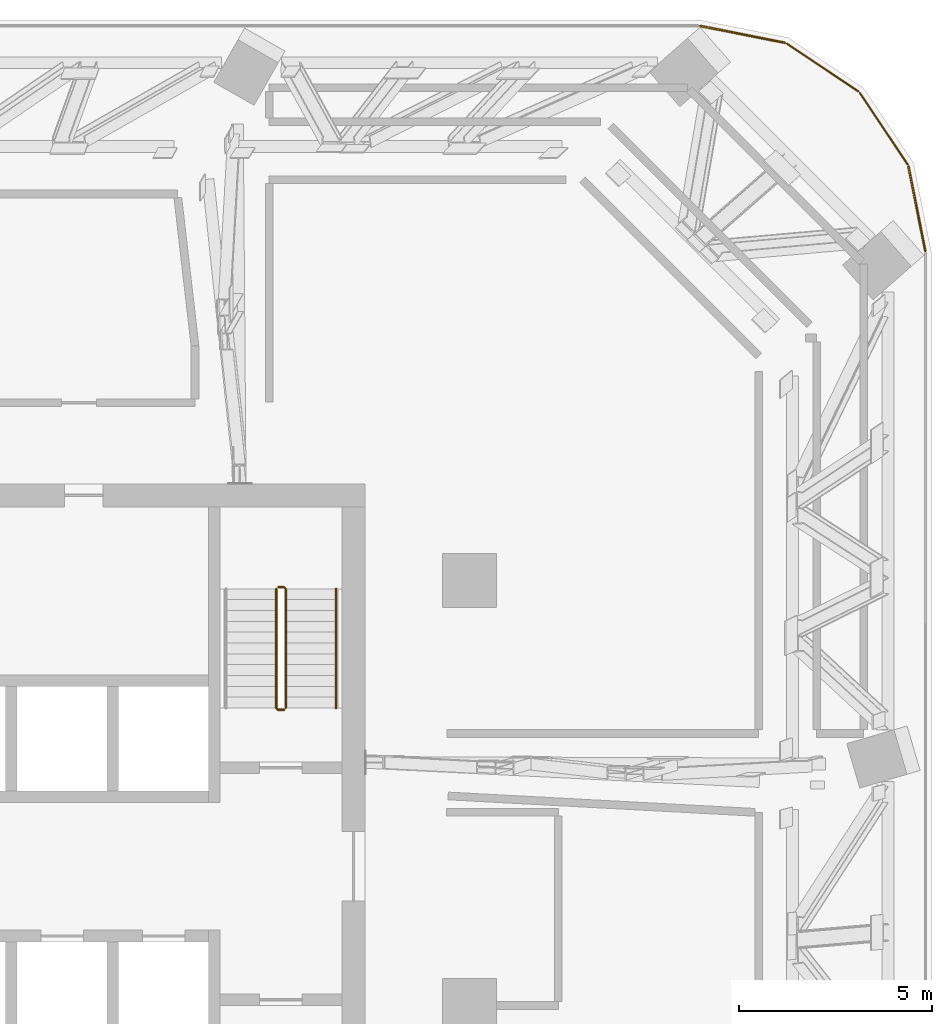
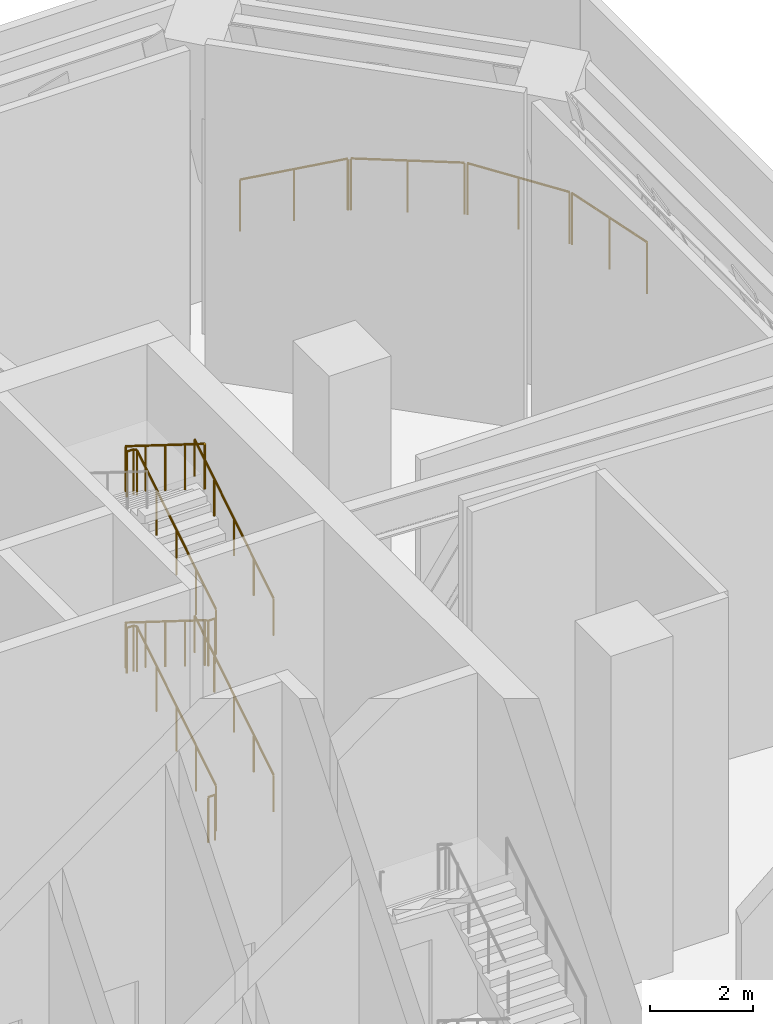
# One storey, part 24 of 24: 11 railings.
"""IFC4 building model written with IfcOpenShell, lengths in metres."""

from ifc_helpers import new_model, si_unit, direction, frame, origin, origin_2d, place, context, subcontext, project, spatial, circle, extrude, material, type_object, element, save


model = new_model("IFC4")

# Units and contexts
model_context = context("Model", 3, precision=1e-05, world=origin(), true_north=direction((0.0, 1.0)))
body_context = subcontext(model_context, "Body", "Model", "MODEL_VIEW")
ifc_project = project(units=[si_unit("LENGTHUNIT", "METRE"), si_unit("AREAUNIT", "SQUARE_METRE"), si_unit("VOLUMEUNIT", "CUBIC_METRE"), si_unit("PLANEANGLEUNIT", "RADIAN"), si_unit("MASSUNIT", "GRAM", prefix="KILO")], contexts=[model_context])

# Site, building, storey
site_placement = place(None, origin())
site = spatial("IfcSite", under=ifc_project, at=site_placement, CompositionType="ELEMENT")
building_placement = place(site_placement, origin())
building = spatial("IfcBuilding", under=site, at=building_placement, Name="Mopane Tessera Tower", CompositionType="ELEMENT")
storey_placement = place(building_placement, frame((0.0, 0.0, 148.60009765625)))
storey = spatial("IfcBuildingStorey", under=building, at=storey_placement, Name="L30", CompositionType="ELEMENT", Elevation=148.60009765625)

# Railings
ifc_material_1 = material(Name="Powder-coated steel balustrade", Category="steel")
railing_type_1 = type_object("IfcRailingType", Name="Escape stair guard 1100 mm", PredefinedType="GUARDRAIL", material=ifc_material_1)
railing_1_placement = place(storey_placement, frame((12.35009765625, 7.699951171875, 0.1748046875)))
element("IfcRailing", 1, at=railing_1_placement, inside=storey, type_object=railing_type_1, Name="L30 ST4 stair guard 1", PredefinedType="GUARDRAIL", context=body_context, shape_type="SweptSolid", body=[
    extrude(circle(Radius=0.02392578125, at=origin_2d()), frame((0.0, 0.0, 1.076171875), z_axis=(0.0, 0.847998304005, 0.529998940003), x_axis=(-1.0, 0.0, 0.0)), (0.0, 0.0, 1.0), 3.632080078125),
    extrude(circle(Radius=0.02392578125, at=origin_2d()), frame((0.0, 3.080078125, 3.0009765625), z_axis=(-0.707106781187, 0.707106781187, 0.0), x_axis=(-0.707106781187, -0.707106781187, 0.0)), (0.0, 0.0, 1.0), 0.07080078125),
    extrude(circle(Radius=0.02392578125, at=origin_2d()), frame((-0.050048828125, 3.130126953125, 3.0009765625), z_axis=(-1.0, 0.0, 0.0), x_axis=(0.0, -1.0, 0.0)), (0.0, 0.0, 1.0), 0.150146484375),
    extrude(circle(Radius=0.02099609375, at=origin_2d()), origin(), (0.0, 0.0, 1.0), 1.052001953125),
    extrude(circle(Radius=0.02099609375, at=origin_2d()), frame((0.0, 0.77001953125, 0.481201171875)), (0.0, 0.0, 1.0), 1.052001953125),
    extrude(circle(Radius=0.02099609375, at=origin_2d()), frame((0.0, 1.5400390625, 0.96240234375)), (0.0, 0.0, 1.0), 1.052001953125),
    extrude(circle(Radius=0.02099609375, at=origin_2d()), frame((0.0, 2.31005859375, 1.44384765625)), (0.0, 0.0, 1.0), 1.052001953125),
    extrude(circle(Radius=0.02099609375, at=origin_2d()), frame((0.0, 3.080078125, 1.925048828125)), (0.0, 0.0, 1.0), 1.052001953125),
    extrude(circle(Radius=0.02099609375, at=origin_2d()), frame((-0.050048828125, 3.130126953125, 1.925048828125)), (0.0, 0.0, 1.0), 1.052001953125),
    extrude(circle(Radius=0.02099609375, at=origin_2d()), frame((-0.2001953125, 3.130126953125, 1.925048828125)), (0.0, 0.0, 1.0), 1.052001953125),
])
railing_2_placement = place(storey_placement, frame((12.10009765625, 10.780029296875, 2.27490234375)))
element("IfcRailing", 2, at=railing_2_placement, inside=storey, type_object=railing_type_1, Name="L30 ST4 stair guard 2", PredefinedType="GUARDRAIL", context=body_context, shape_type="SweptSolid", body=[
    extrude(circle(Radius=0.02392578125, at=origin_2d()), frame((0.0, 0.0, 1.076171875), z_axis=(0.0, -0.847998304005, 0.529998940003), x_axis=(1.0, 0.0, 0.0)), (0.0, 0.0, 1.0), 3.632080078125),
    extrude(circle(Radius=0.02392578125, at=origin_2d()), frame((0.0, -3.080078125, 3.0009765625), z_axis=(0.705375805398, -0.708833529934, 0.0), x_axis=(0.708833529934, 0.705375805398, 0.0)), (0.0, 0.0, 1.0), 0.070556640625),
    extrude(circle(Radius=0.02392578125, at=origin_2d()), frame((0.0498046875, -3.130126953125, 3.0009765625), z_axis=(1.0, 0.0, 0.0), x_axis=(0.0, 1.0, 0.0)), (0.0, 0.0, 1.0), 0.150146484375),
    extrude(circle(Radius=0.02099609375, at=origin_2d()), origin(), (0.0, 0.0, 1.0), 1.052001953125),
    extrude(circle(Radius=0.02099609375, at=origin_2d()), frame((0.0, -0.77001953125, 0.481201171875)), (0.0, 0.0, 1.0), 1.052001953125),
    extrude(circle(Radius=0.02099609375, at=origin_2d()), frame((0.0, -1.5400390625, 0.96240234375)), (0.0, 0.0, 1.0), 1.052001953125),
    extrude(circle(Radius=0.02099609375, at=origin_2d()), frame((0.0, -2.31005859375, 1.44384765625)), (0.0, 0.0, 1.0), 1.052001953125),
    extrude(circle(Radius=0.02099609375, at=origin_2d()), frame((0.0, -3.080078125, 1.925048828125)), (0.0, 0.0, 1.0), 1.052001953125),
    extrude(circle(Radius=0.02099609375, at=origin_2d()), frame((0.0498046875, -3.130126953125, 1.925048828125)), (0.0, 0.0, 1.0), 1.052001953125),
    extrude(circle(Radius=0.02099609375, at=origin_2d()), frame((0.199951171875, -3.130126953125, 1.925048828125)), (0.0, 0.0, 1.0), 1.052001953125),
])
railing_3_placement = place(storey_placement, frame((12.35009765625, 7.699951171875, 4.375)))
element("IfcRailing", 3, at=railing_3_placement, inside=storey, type_object=railing_type_1, Name="L30 ST4 stair guard 3", PredefinedType="GUARDRAIL", context=body_context, shape_type="SweptSolid", body=[
    extrude(circle(Radius=0.02392578125, at=origin_2d()), frame((0.0, 0.0, 1.076171875), z_axis=(0.0, 0.848028513186, 0.529950602248), x_axis=(-1.0, 0.0, 0.0)), (0.0, 0.0, 1.0), 3.632080078125),
    extrude(circle(Radius=0.02392578125, at=origin_2d()), frame((0.0, 3.080078125, 3.0009765625), z_axis=(-0.707106781187, 0.707106781187, 0.0), x_axis=(-0.707106781187, -0.707106781187, 0.0)), (0.0, 0.0, 1.0), 0.07080078125),
    extrude(circle(Radius=0.02392578125, at=origin_2d()), frame((-0.050048828125, 3.130126953125, 3.0009765625), z_axis=(-1.0, 0.0, 0.0), x_axis=(0.0, -1.0, 0.0)), (0.0, 0.0, 1.0), 0.150146484375),
    extrude(circle(Radius=0.02099609375, at=origin_2d()), origin(), (0.0, 0.0, 1.0), 1.052001953125),
    extrude(circle(Radius=0.02099609375, at=origin_2d()), frame((0.0, 0.77001953125, 0.481201171875)), (0.0, 0.0, 1.0), 1.052001953125),
    extrude(circle(Radius=0.02099609375, at=origin_2d()), frame((0.0, 1.5400390625, 0.96240234375)), (0.0, 0.0, 1.0), 1.052001953125),
    extrude(circle(Radius=0.02099609375, at=origin_2d()), frame((0.0, 2.31005859375, 1.443603515625)), (0.0, 0.0, 1.0), 1.052001953125),
    extrude(circle(Radius=0.02099609375, at=origin_2d()), frame((0.0, 3.080078125, 1.9248046875)), (0.0, 0.0, 1.0), 1.052001953125),
    extrude(circle(Radius=0.02099609375, at=origin_2d()), frame((-0.050048828125, 3.130126953125, 1.9248046875)), (0.0, 0.0, 1.0), 1.052001953125),
    extrude(circle(Radius=0.02099609375, at=origin_2d()), frame((-0.2001953125, 3.130126953125, 1.9248046875)), (0.0, 0.0, 1.0), 1.052001953125),
])
railing_4_placement = place(storey_placement, frame((12.10009765625, 10.780029296875, 6.474853515625)))
element("IfcRailing", 4, at=railing_4_placement, inside=storey, type_object=railing_type_1, Name="L30 ST4 stair guard 4", PredefinedType="GUARDRAIL", context=body_context, shape_type="SweptSolid", body=[
    extrude(circle(Radius=0.02392578125, at=origin_2d()), frame((0.0, 0.0, 1.076171875), z_axis=(0.0, -0.847998304005, 0.529998940003), x_axis=(1.0, 0.0, 0.0)), (0.0, 0.0, 1.0), 3.632080078125),
    extrude(circle(Radius=0.02099609375, at=origin_2d()), origin(), (0.0, 0.0, 1.0), 1.052001953125),
    extrude(circle(Radius=0.02099609375, at=origin_2d()), frame((0.0, -0.77001953125, 0.481201171875)), (0.0, 0.0, 1.0), 1.052001953125),
    extrude(circle(Radius=0.02099609375, at=origin_2d()), frame((0.0, -1.5400390625, 0.96240234375)), (0.0, 0.0, 1.0), 1.052001953125),
    extrude(circle(Radius=0.02099609375, at=origin_2d()), frame((0.0, -2.31005859375, 1.44384765625)), (0.0, 0.0, 1.0), 1.052001953125),
    extrude(circle(Radius=0.02099609375, at=origin_2d()), frame((0.0, -3.080078125, 1.925048828125)), (0.0, 0.0, 1.0), 1.052001953125),
])
railing_5_placement = place(storey_placement, frame((12.300048828125, 7.64990234375, 0.0)))
element("IfcRailing", 5, at=railing_5_placement, inside=storey, type_object=railing_type_1, Name="L30 ST4 stair guard 5", PredefinedType="GUARDRAIL", context=body_context, shape_type="SweptSolid", body=[
    extrude(circle(Radius=0.02392578125, at=origin_2d()), frame((0.0, 0.0, 1.076171875), z_axis=(-1.0, 0.0, 0.0), x_axis=(0.0, -1.0, 0.0)), (0.0, 0.0, 1.0), 0.150146484375),
    extrude(circle(Radius=0.02099609375, at=origin_2d()), origin(), (0.0, 0.0, 1.0), 1.052001953125),
    extrude(circle(Radius=0.02099609375, at=origin_2d()), frame((-0.150146484375, 0.0, 0.0)), (0.0, 0.0, 1.0), 1.052001953125),
])
ifc_material_2 = material(Name="Powder-coated steel balustrade", Category="steel")
railing_type_2 = type_object("IfcRailingType", Name="Escape stair handrail 900 mm", PredefinedType="HANDRAIL", material=ifc_material_2)
railing_6_placement = place(storey_placement, frame((13.64990234375, 7.699951171875, 0.1748046875)))
element("IfcRailing", 6, at=railing_6_placement, inside=storey, type_object=railing_type_2, Name="L30 ST4 stair handrail 1", PredefinedType="HANDRAIL", context=body_context, shape_type="SweptSolid", body=[
    extrude(circle(Radius=0.02392578125, at=origin_2d()), frame((0.0, 0.0, 0.8759765625), z_axis=(0.0, 0.847998304005, 0.529998940003), x_axis=(-1.0, 0.0, 0.0)), (0.0, 0.0, 1.0), 3.632080078125),
    extrude(circle(Radius=0.02099609375, at=origin_2d()), origin(), (0.0, 0.0, 1.0), 0.851806640625),
    extrude(circle(Radius=0.02099609375, at=origin_2d()), frame((0.0, 0.77001953125, 0.481201171875)), (0.0, 0.0, 1.0), 0.851806640625),
    extrude(circle(Radius=0.02099609375, at=origin_2d()), frame((0.0, 1.5400390625, 0.96240234375)), (0.0, 0.0, 1.0), 0.851806640625),
    extrude(circle(Radius=0.02099609375, at=origin_2d()), frame((0.0, 2.31005859375, 1.44384765625)), (0.0, 0.0, 1.0), 0.851806640625),
    extrude(circle(Radius=0.02099609375, at=origin_2d()), frame((0.0, 3.080078125, 1.925048828125)), (0.0, 0.0, 1.0), 0.851806640625),
])
railing_7_placement = place(storey_placement, frame((13.64990234375, 7.699951171875, 4.375)))
element("IfcRailing", 7, at=railing_7_placement, inside=storey, type_object=railing_type_2, Name="L30 ST4 stair handrail 3", PredefinedType="HANDRAIL", context=body_context, shape_type="SweptSolid", body=[
    extrude(circle(Radius=0.02392578125, at=origin_2d()), frame((0.0, 0.0, 0.8759765625), z_axis=(0.0, 0.848028513186, 0.529950602248), x_axis=(-1.0, 0.0, 0.0)), (0.0, 0.0, 1.0), 3.632080078125),
    extrude(circle(Radius=0.02099609375, at=origin_2d()), origin(), (0.0, 0.0, 1.0), 0.851806640625),
    extrude(circle(Radius=0.02099609375, at=origin_2d()), frame((0.0, 0.77001953125, 0.481201171875)), (0.0, 0.0, 1.0), 0.851806640625),
    extrude(circle(Radius=0.02099609375, at=origin_2d()), frame((0.0, 1.5400390625, 0.96240234375)), (0.0, 0.0, 1.0), 0.851806640625),
    extrude(circle(Radius=0.02099609375, at=origin_2d()), frame((0.0, 2.31005859375, 1.443603515625)), (0.0, 0.0, 1.0), 0.851806640625),
    extrude(circle(Radius=0.02099609375, at=origin_2d()), frame((0.0, 3.080078125, 1.9248046875)), (0.0, 0.0, 1.0), 0.851806640625),
])
ifc_material_3 = material(Name="Stainless steel S316", Category="steel")
railing_type_3 = type_object("IfcRailingType", Name="Wind floor guard 1250", PredefinedType="GUARDRAIL", material=ifc_material_3)
railing_8_placement = place(storey_placement, frame((28.89404296875, 19.529541015625, 0.0)))
element("IfcRailing", 8, at=railing_8_placement, inside=storey, type_object=railing_type_3, Name="e:og:L30:6", PredefinedType="GUARDRAIL", context=body_context, shape_type="SweptSolid", body=[
    extrude(circle(Radius=0.02392578125, at=origin_2d()), frame((0.0, 0.0, 1.22607421875), z_axis=(-0.195101986683, 0.980782960085, 0.0), x_axis=(-0.980782960085, -0.195101986683, 0.0)), (0.0, 0.0, 1.0), 2.222412109375),
    extrude(circle(Radius=0.02099609375, at=origin_2d()), origin(), (0.0, 0.0, 1.0), 1.201904296875),
    extrude(circle(Radius=0.02099609375, at=origin_2d()), frame((-0.216796875, 1.08984375, 0.0)), (0.0, 0.0, 1.0), 1.201904296875),
    extrude(circle(Radius=0.02099609375, at=origin_2d()), frame((-0.43359375, 2.1796875, 0.0)), (0.0, 0.0, 1.0), 1.201904296875),
])
railing_9_placement = place(storey_placement, frame((28.43798828125, 21.763671875, 0.0)))
element("IfcRailing", 9, at=railing_9_placement, inside=storey, type_object=railing_type_3, Name="e:og:L30:7", PredefinedType="GUARDRAIL", context=body_context, shape_type="SweptSolid", body=[
    extrude(circle(Radius=0.02392578125, at=origin_2d()), frame((0.0, 0.0, 1.22607421875), z_axis=(-0.555612448047, 0.831441403573, 0.0), x_axis=(-0.831441403573, -0.555612448047, 0.0)), (0.0, 0.0, 1.0), 2.222412109375),
    extrude(circle(Radius=0.02099609375, at=origin_2d()), origin(), (0.0, 0.0, 1.0), 1.201904296875),
    extrude(circle(Radius=0.02099609375, at=origin_2d()), frame((-0.617431640625, 0.923828125, 0.0)), (0.0, 0.0, 1.0), 1.201904296875),
    extrude(circle(Radius=0.02099609375, at=origin_2d()), frame((-1.23486328125, 1.847900390625, 0.0)), (0.0, 0.0, 1.0), 1.201904296875),
])
railing_10_placement = place(storey_placement, frame((27.16162109375, 23.6533203125, 0.0)))
element("IfcRailing", 10, at=railing_10_placement, inside=storey, type_object=railing_type_3, Name="e:og:L30:8", PredefinedType="GUARDRAIL", context=body_context, shape_type="SweptSolid", body=[
    extrude(circle(Radius=0.02392578125, at=origin_2d()), frame((0.0, 0.0, 1.22607421875), z_axis=(-0.831492148611, 0.55553650357, 0.0), x_axis=(-0.55553650357, -0.831492148611, 0.0)), (0.0, 0.0, 1.0), 2.222412109375),
    extrude(circle(Radius=0.02099609375, at=origin_2d()), origin(), (0.0, 0.0, 1.0), 1.201904296875),
    extrude(circle(Radius=0.02099609375, at=origin_2d()), frame((-0.923828125, 0.6171875, 0.0)), (0.0, 0.0, 1.0), 1.201904296875),
    extrude(circle(Radius=0.02099609375, at=origin_2d()), frame((-1.847900390625, 1.234619140625, 0.0)), (0.0, 0.0, 1.0), 1.201904296875),
])
railing_11_placement = place(storey_placement, frame((25.25927734375, 24.91064453125, 0.0)))
element("IfcRailing", 11, at=railing_11_placement, inside=storey, type_object=railing_type_3, Name="e:og:L30:9", PredefinedType="GUARDRAIL", context=body_context, shape_type="SweptSolid", body=[
    extrude(circle(Radius=0.02392578125, at=origin_2d()), frame((0.0, 0.0, 1.22607421875), z_axis=(-0.980787141005, 0.195080967905, 0.0), x_axis=(-0.195080967905, -0.980787141005, 0.0)), (0.0, 0.0, 1.0), 2.22265625),
    extrude(circle(Radius=0.02099609375, at=origin_2d()), origin(), (0.0, 0.0, 1.0), 1.201904296875),
    extrude(circle(Radius=0.02099609375, at=origin_2d()), frame((-1.08984375, 0.216796875, 0.0)), (0.0, 0.0, 1.0), 1.201904296875),
    extrude(circle(Radius=0.02099609375, at=origin_2d()), frame((-2.179931640625, 0.43359375, 0.0)), (0.0, 0.0, 1.0), 1.201904296875),
])

save(model, "model.ifc")
